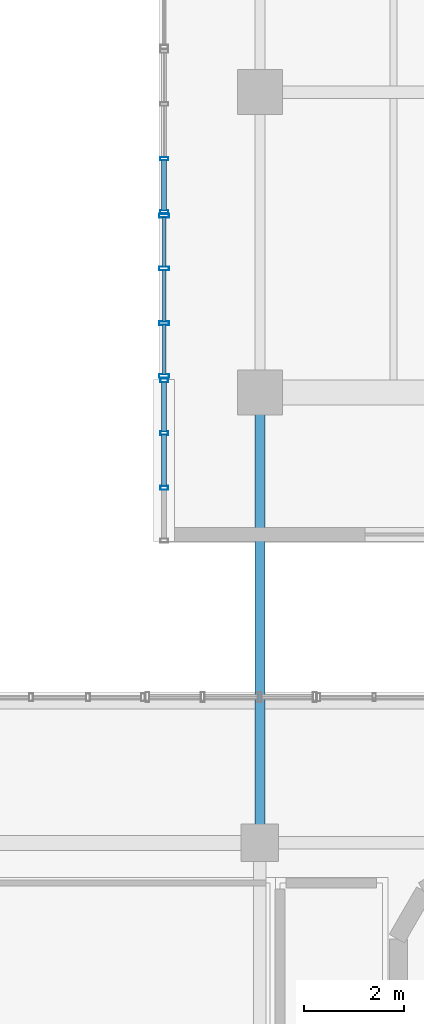
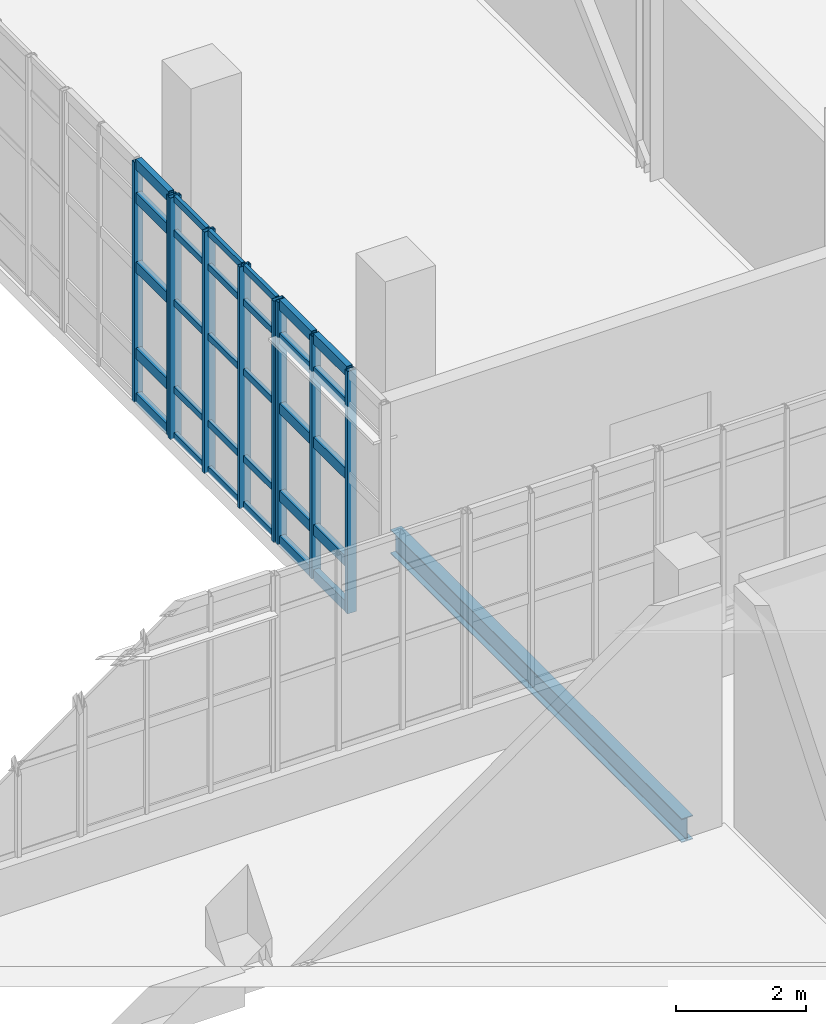
# One storey, part 29 of 102: 39 members, 1 beam, 3 elements without a shape of their own.
"""IFC4 building model written with IfcOpenShell, lengths in metres."""

from ifc_helpers import new_model, si_unit, derived_unit, direction, frame, origin, origin_2d, place, context, subcontext, project, spatial, hollow_rectangle, i_section, extrude, material, layer, layer_set, material_profile, profile_set, type_object, element, aggregate, save


model = new_model("IFC4")

# Units and contexts
model_context = context("Model", 3, precision=1e-05, world=origin(), true_north=direction((0.0, 1.0)))
body_context = subcontext(model_context, "Body", "Model", "MODEL_VIEW")
ifc_project = project(units=[si_unit("LENGTHUNIT", "METRE"), si_unit("AREAUNIT", "SQUARE_METRE"), si_unit("VOLUMEUNIT", "CUBIC_METRE"), si_unit("PLANEANGLEUNIT", "RADIAN"), si_unit("MASSUNIT", "GRAM", prefix="KILO"), derived_unit("THERMALTRANSMITTANCEUNIT", [(si_unit("POWERUNIT", "WATT"), 1), (si_unit("LENGTHUNIT", "METRE"), -2), (si_unit("THERMODYNAMICTEMPERATUREUNIT", "KELVIN"), -1)])], contexts=[model_context])

# Site, building, storey
site_placement = place(None, origin())
site = spatial("IfcSite", under=ifc_project, at=site_placement, CompositionType="ELEMENT")
building_placement = place(site_placement, origin())
building = spatial("IfcBuilding", under=site, at=building_placement, Name="Nallur Shell Playhouse", CompositionType="ELEMENT")
storey_placement = place(building_placement, frame((0.0, 0.0, 15.0)))
storey = spatial("IfcBuildingStorey", under=building, at=storey_placement, Name="L04", CompositionType="ELEMENT", Elevation=15.0)

# Beam
ifc_material_1 = material(Name="Steel E350", Category="steel")
ifc_material_profile_1 = material_profile(ifc_material_1, i_section(OverallWidth=0.199951171875, OverallDepth=0.449951171875, WebThickness=0.00927734375, FlangeThickness=0.015380859375, FilletRadius=0.013916015625, at=origin_2d()), Name="ISWB 450")
ifc_profile_set_1 = profile_set([ifc_material_profile_1], Name="Steel E350")
beam_type = type_object("IfcBeamType", Name="BM-ST-ISWB450", PredefinedType="BEAM", material=ifc_profile_set_1)
beam_placement = place(storey_placement, frame((56.0, 41.0, -0.485107421875), z_axis=(0.0, 1.0, 0.0), x_axis=(-1.0, 0.0, 0.0)))
element("IfcBeam", 1, at=beam_placement, inside=storey, type_object=beam_type, Name="L04 girder Y-7-836", PredefinedType="BEAM", context=body_context, shape_type="SweptSolid", body=[
    extrude(i_section(OverallWidth=0.199951171875, OverallDepth=0.449951171875, WebThickness=0.00927734375, FlangeThickness=0.015380859375, FilletRadius=0.013916015625, at=origin_2d()), origin(), (0.0, 0.0, 1.0), 9.0),
])

# Curtain wall, members
ifc_material_2 = material(Name="Anodised Aluminium Double-Glazed Facade System", Category="aluminium")
ifc_layer_1 = layer(ifc_material_2, 0.159912109375)
ifc_layer_set_1 = layer_set([ifc_layer_1], Name="Anodised Aluminium Double-Glazed Facade System")
curtain_wall_type_1 = type_object("IfcCurtainWallType", Name="CW-UNIT-24", PredefinedType="NOTDEFINED", material=ifc_layer_set_1)
curtain_wall_1_placement = place(storey_placement, origin())
curtain_wall_1 = element("IfcCurtainWall", 2, at=curtain_wall_1_placement, inside=storey, type_object=curtain_wall_type_1, Name="Unitised curtain wall CW-152 (L04)", PredefinedType="NOTDEFINED")
ifc_material_3 = material(Name="Aluminium Alloy 6063-T6 Mullion", Category="aluminium")
ifc_material_profile_2 = material_profile(ifc_material_3, hollow_rectangle(XDim=0.080078125, YDim=0.159912109375, WallThickness=0.006103515625, at=origin_2d()), Name="RHS 160x80x6")
ifc_profile_set_2 = profile_set([ifc_material_profile_2], Name="Aluminium Alloy 6063-T6 Mullion")
member_type_1 = type_object("IfcMemberType", Name="MB-CW-MUL150", PredefinedType="MULLION", material=ifc_profile_set_2)
member_1_placement = place(storey_placement, frame((54.090087890625, 48.093505859375, -0.014892578125), z_axis=(0.0, 0.0, 1.0), x_axis=(0.0, 1.0, 0.0)))
member_1 = element("IfcMember", 3, at=member_1_placement, type_object=member_type_1, Name="CW-24 mullion 2", PredefinedType="MULLION", context=body_context, shape_type="SweptSolid", body=[
    extrude(hollow_rectangle(XDim=0.080078125, YDim=0.159912109375, WallThickness=0.006103515625, at=origin_2d()), origin(), (0.0, 0.0, 1.0), 4.56884765625),
])
member_2_placement = place(storey_placement, frame((54.090087890625, 49.18701171875, -0.014892578125), z_axis=(0.0, 0.0, 1.0), x_axis=(0.0, 1.0, 0.0)))
member_2 = element("IfcMember", 4, at=member_2_placement, type_object=member_type_1, Name="CW-24 mullion 3", PredefinedType="MULLION", context=body_context, shape_type="SweptSolid", body=[
    extrude(hollow_rectangle(XDim=0.080078125, YDim=0.159912109375, WallThickness=0.006103515625, at=origin_2d()), origin(), (0.0, 0.0, 1.0), 4.56884765625),
])
member_3_placement = place(storey_placement, frame((54.090087890625, 50.24072265625, -0.014892578125), z_axis=(0.0, 0.0, 1.0), x_axis=(0.0, 1.0, 0.0)))
member_3 = element("IfcMember", 5, at=member_3_placement, type_object=member_type_1, Name="CW-24 mullion 4", PredefinedType="MULLION", context=body_context, shape_type="SweptSolid", body=[
    extrude(hollow_rectangle(XDim=0.080078125, YDim=0.159912109375, WallThickness=0.006103515625, at=origin_2d()), origin(), (0.0, 0.0, 1.0), 4.56884765625),
])

ifc_layer_2 = layer(ifc_material_2, 0.16796875)
ifc_layer_set_2 = layer_set([ifc_layer_2], Name="Anodised Aluminium Double-Glazed Facade System")
curtain_wall_type_2 = type_object("IfcCurtainWallType", Name="CW-UNIT-26", PredefinedType="NOTDEFINED", material=ifc_layer_set_2)
curtain_wall_2_placement = place(storey_placement, origin())
curtain_wall_2 = element("IfcCurtainWall", 6, at=curtain_wall_2_placement, inside=storey, type_object=curtain_wall_type_2, Name="Unitised curtain wall CW-154 (L04)", PredefinedType="NOTDEFINED")
ifc_material_profile_3 = material_profile(ifc_material_3, hollow_rectangle(XDim=0.06494140625, YDim=0.159912109375, WallThickness=0.00390625, at=origin_2d()), Name="ALU 65x160x4")
ifc_profile_set_3 = profile_set([ifc_material_profile_3], Name="Aluminium Alloy 6063-T6 Mullion")
member_type_2 = type_object("IfcMemberType", Name="MB-CW-MUL160", PredefinedType="MULLION", material=ifc_profile_set_3)
member_4_placement = place(storey_placement, frame((54.090087890625, 53.60888671875, -0.014892578125), z_axis=(0.0, 0.0, 1.0), x_axis=(0.0, 1.0, 0.0)))
member_4 = element("IfcMember", 7, at=member_4_placement, type_object=member_type_2, Name="CW-26 mullion 1", PredefinedType="MULLION", context=body_context, shape_type="SweptSolid", body=[
    extrude(hollow_rectangle(XDim=0.06494140625, YDim=0.159912109375, WallThickness=0.00390625, at=origin_2d()), origin(), (0.0, 0.0, 1.0), 4.52880859375),
])
member_5_placement = place(storey_placement, frame((54.090087890625, 54.668212890625, -0.014892578125), z_axis=(0.0, 0.0, 1.0), x_axis=(0.0, 1.0, 0.0)))
member_5 = element("IfcMember", 8, at=member_5_placement, type_object=member_type_2, Name="CW-26 mullion 2", PredefinedType="MULLION", context=body_context, shape_type="SweptSolid", body=[
    extrude(hollow_rectangle(XDim=0.06494140625, YDim=0.159912109375, WallThickness=0.00390625, at=origin_2d()), origin(), (0.0, 0.0, 1.0), 4.52880859375),
])

ifc_layer_3 = layer(ifc_material_2, 0.1640625)
ifc_layer_set_3 = layer_set([ifc_layer_3], Name="Anodised Aluminium Double-Glazed Facade System")
curtain_wall_type_3 = type_object("IfcCurtainWallType", Name="CW-UNIT-25", PredefinedType="NOTDEFINED", material=ifc_layer_set_3)
curtain_wall_3_placement = place(storey_placement, origin())
curtain_wall_3 = element("IfcCurtainWall", 9, at=curtain_wall_3_placement, inside=storey, type_object=curtain_wall_type_3, Name="Unitised curtain wall CW-153 (L04)", PredefinedType="NOTDEFINED")
ifc_material_profile_4 = material_profile(ifc_material_3, hollow_rectangle(XDim=0.074951171875, YDim=0.199951171875, WallThickness=0.0048828125, at=origin_2d()), Name="ALU 75x200x5")
ifc_profile_set_4 = profile_set([ifc_material_profile_4], Name="Aluminium Alloy 6063-T6 Mullion")
member_type_3 = type_object("IfcMemberType", Name="MB-CW-MUL180", PredefinedType="MULLION", material=ifc_profile_set_4)
member_6_placement = place(storey_placement, frame((54.090087890625, 50.328125, -0.014892578125), z_axis=(0.0, 0.0, 1.0), x_axis=(0.0, 1.0, 0.0)))
member_6 = element("IfcMember", 10, at=member_6_placement, type_object=member_type_3, Name="CW-25 mullion 1", PredefinedType="MULLION", context=body_context, shape_type="SweptSolid", body=[
    extrude(hollow_rectangle(XDim=0.074951171875, YDim=0.199951171875, WallThickness=0.0048828125, at=origin_2d()), origin(), (0.0, 0.0, 1.0), 4.548828125),
])
member_7_placement = place(storey_placement, frame((54.090087890625, 51.382568359375, -0.014892578125), z_axis=(0.0, 0.0, 1.0), x_axis=(0.0, 1.0, 0.0)))
member_7 = element("IfcMember", 11, at=member_7_placement, type_object=member_type_3, Name="CW-25 mullion 2", PredefinedType="MULLION", context=body_context, shape_type="SweptSolid", body=[
    extrude(hollow_rectangle(XDim=0.074951171875, YDim=0.199951171875, WallThickness=0.0048828125, at=origin_2d()), origin(), (0.0, 0.0, 1.0), 4.548828125),
])
member_8_placement = place(storey_placement, frame((54.090087890625, 52.474609375, -0.014892578125), z_axis=(0.0, 0.0, 1.0), x_axis=(0.0, 1.0, 0.0)))
member_8 = element("IfcMember", 12, at=member_8_placement, type_object=member_type_3, Name="CW-25 mullion 3", PredefinedType="MULLION", context=body_context, shape_type="SweptSolid", body=[
    extrude(hollow_rectangle(XDim=0.074951171875, YDim=0.199951171875, WallThickness=0.0048828125, at=origin_2d()), origin(), (0.0, 0.0, 1.0), 4.548828125),
])
member_9_placement = place(storey_placement, frame((54.090087890625, 53.52880859375, -0.014892578125), z_axis=(0.0, 0.0, 1.0), x_axis=(0.0, 1.0, 0.0)))
member_9 = element("IfcMember", 13, at=member_9_placement, type_object=member_type_3, Name="CW-25 mullion 4", PredefinedType="MULLION", context=body_context, shape_type="SweptSolid", body=[
    extrude(hollow_rectangle(XDim=0.074951171875, YDim=0.199951171875, WallThickness=0.0048828125, at=origin_2d()), origin(), (0.0, 0.0, 1.0), 4.548828125),
])
ifc_material_4 = material(Name="Aluminium Alloy 6063-T6 Transom", Category="aluminium")
ifc_material_profile_5 = material_profile(ifc_material_4, hollow_rectangle(XDim=0.06494140625, YDim=0.1201171875, WallThickness=0.00390625, at=origin_2d()), Name="ALU 65x120x4")
ifc_profile_set_5 = profile_set([ifc_material_profile_5], Name="Aluminium Alloy 6063-T6 Transom")
member_type_4 = type_object("IfcMemberType", Name="MB-CW-TRN120", PredefinedType="USERDEFINED", material=ifc_profile_set_5)
member_10_placement = place(storey_placement, frame((54.090087890625, 50.357666015625, 0.032470703125), z_axis=(0.0, 1.0, 0.0), x_axis=(-1.0, 0.0, 0.0)))
member_10 = element("IfcMember", 14, at=member_10_placement, type_object=member_type_4, Name="CW-25 transom 1.1", ObjectType="TRANSOM", PredefinedType="USERDEFINED", context=body_context, shape_type="SweptSolid", body=[
    extrude(hollow_rectangle(XDim=0.06494140625, YDim=0.1201171875, WallThickness=0.00390625, at=origin_2d()), origin(), (0.0, 0.0, 1.0), 0.995361328125),
])
member_11_placement = place(storey_placement, frame((54.090087890625, 50.357666015625, 0.89990234375), z_axis=(0.0, 1.0, 0.0), x_axis=(-1.0, 0.0, 0.0)))
member_11 = element("IfcMember", 15, at=member_11_placement, type_object=member_type_4, Name="CW-25 transom 1.2", ObjectType="TRANSOM", PredefinedType="USERDEFINED", context=body_context, shape_type="SweptSolid", body=[
    extrude(hollow_rectangle(XDim=0.06494140625, YDim=0.1201171875, WallThickness=0.00390625, at=origin_2d()), origin(), (0.0, 0.0, 1.0), 0.995361328125),
])
member_12_placement = place(storey_placement, frame((54.090087890625, 50.357666015625, 2.537109375), z_axis=(0.0, 1.0, 0.0), x_axis=(-1.0, 0.0, 0.0)))
member_12 = element("IfcMember", 16, at=member_12_placement, type_object=member_type_4, Name="CW-25 transom 1.3", ObjectType="TRANSOM", PredefinedType="USERDEFINED", context=body_context, shape_type="SweptSolid", body=[
    extrude(hollow_rectangle(XDim=0.06494140625, YDim=0.1201171875, WallThickness=0.00390625, at=origin_2d()), origin(), (0.0, 0.0, 1.0), 0.995361328125),
])
member_13_placement = place(storey_placement, frame((54.090087890625, 50.357666015625, 3.85009765625), z_axis=(0.0, 1.0, 0.0), x_axis=(-1.0, 0.0, 0.0)))
member_13 = element("IfcMember", 17, at=member_13_placement, type_object=member_type_4, Name="CW-25 transom 1.4", ObjectType="TRANSOM", PredefinedType="USERDEFINED", context=body_context, shape_type="SweptSolid", body=[
    extrude(hollow_rectangle(XDim=0.06494140625, YDim=0.1201171875, WallThickness=0.00390625, at=origin_2d()), origin(), (0.0, 0.0, 1.0), 0.995361328125),
])
member_14_placement = place(storey_placement, frame((54.090087890625, 50.357666015625, 4.49755859375), z_axis=(0.0, 1.0, 0.0), x_axis=(-1.0, 0.0, 0.0)))
member_14 = element("IfcMember", 18, at=member_14_placement, type_object=member_type_4, Name="CW-25 transom 1.5", ObjectType="TRANSOM", PredefinedType="USERDEFINED", context=body_context, shape_type="SweptSolid", body=[
    extrude(hollow_rectangle(XDim=0.06494140625, YDim=0.1201171875, WallThickness=0.00390625, at=origin_2d()), origin(), (0.0, 0.0, 1.0), 0.995361328125),
])
member_15_placement = place(storey_placement, frame((54.090087890625, 51.412109375, 0.032470703125), z_axis=(0.0, 1.0, 0.0), x_axis=(-1.0, 0.0, 0.0)))
member_15 = element("IfcMember", 19, at=member_15_placement, type_object=member_type_4, Name="CW-25 transom 2.1", ObjectType="TRANSOM", PredefinedType="USERDEFINED", context=body_context, shape_type="SweptSolid", body=[
    extrude(hollow_rectangle(XDim=0.06494140625, YDim=0.1201171875, WallThickness=0.00390625, at=origin_2d()), origin(), (0.0, 0.0, 1.0), 1.032958984375),
])
member_16_placement = place(storey_placement, frame((54.090087890625, 51.412109375, 0.89990234375), z_axis=(0.0, 1.0, 0.0), x_axis=(-1.0, 0.0, 0.0)))
member_16 = element("IfcMember", 20, at=member_16_placement, type_object=member_type_4, Name="CW-25 transom 2.2", ObjectType="TRANSOM", PredefinedType="USERDEFINED", context=body_context, shape_type="SweptSolid", body=[
    extrude(hollow_rectangle(XDim=0.06494140625, YDim=0.1201171875, WallThickness=0.00390625, at=origin_2d()), origin(), (0.0, 0.0, 1.0), 1.032958984375),
])
member_17_placement = place(storey_placement, frame((54.090087890625, 51.412109375, 2.537109375), z_axis=(0.0, 1.0, 0.0), x_axis=(-1.0, 0.0, 0.0)))
member_17 = element("IfcMember", 21, at=member_17_placement, type_object=member_type_4, Name="CW-25 transom 2.3", ObjectType="TRANSOM", PredefinedType="USERDEFINED", context=body_context, shape_type="SweptSolid", body=[
    extrude(hollow_rectangle(XDim=0.06494140625, YDim=0.1201171875, WallThickness=0.00390625, at=origin_2d()), origin(), (0.0, 0.0, 1.0), 1.032958984375),
])
member_18_placement = place(storey_placement, frame((54.090087890625, 51.412109375, 3.85009765625), z_axis=(0.0, 1.0, 0.0), x_axis=(-1.0, 0.0, 0.0)))
member_18 = element("IfcMember", 22, at=member_18_placement, type_object=member_type_4, Name="CW-25 transom 2.4", ObjectType="TRANSOM", PredefinedType="USERDEFINED", context=body_context, shape_type="SweptSolid", body=[
    extrude(hollow_rectangle(XDim=0.06494140625, YDim=0.1201171875, WallThickness=0.00390625, at=origin_2d()), origin(), (0.0, 0.0, 1.0), 1.032958984375),
])
member_19_placement = place(storey_placement, frame((54.090087890625, 51.412109375, 4.49755859375), z_axis=(0.0, 1.0, 0.0), x_axis=(-1.0, 0.0, 0.0)))
member_19 = element("IfcMember", 23, at=member_19_placement, type_object=member_type_4, Name="CW-25 transom 2.5", ObjectType="TRANSOM", PredefinedType="USERDEFINED", context=body_context, shape_type="SweptSolid", body=[
    extrude(hollow_rectangle(XDim=0.06494140625, YDim=0.1201171875, WallThickness=0.00390625, at=origin_2d()), origin(), (0.0, 0.0, 1.0), 1.032958984375),
])
member_20_placement = place(storey_placement, frame((54.090087890625, 52.50390625, 0.032470703125), z_axis=(0.0, 1.0, 0.0), x_axis=(-1.0, 0.0, 0.0)))
member_20 = element("IfcMember", 24, at=member_20_placement, type_object=member_type_4, Name="CW-25 transom 3.1", ObjectType="TRANSOM", PredefinedType="USERDEFINED", context=body_context, shape_type="SweptSolid", body=[
    extrude(hollow_rectangle(XDim=0.06494140625, YDim=0.1201171875, WallThickness=0.00390625, at=origin_2d()), origin(), (0.0, 0.0, 1.0), 0.99560546875),
])
member_21_placement = place(storey_placement, frame((54.090087890625, 52.50390625, 0.89990234375), z_axis=(0.0, 1.0, 0.0), x_axis=(-1.0, 0.0, 0.0)))
member_21 = element("IfcMember", 25, at=member_21_placement, type_object=member_type_4, Name="CW-25 transom 3.2", ObjectType="TRANSOM", PredefinedType="USERDEFINED", context=body_context, shape_type="SweptSolid", body=[
    extrude(hollow_rectangle(XDim=0.06494140625, YDim=0.1201171875, WallThickness=0.00390625, at=origin_2d()), origin(), (0.0, 0.0, 1.0), 0.99560546875),
])
member_22_placement = place(storey_placement, frame((54.090087890625, 52.50390625, 2.537109375), z_axis=(0.0, 1.0, 0.0), x_axis=(-1.0, 0.0, 0.0)))
member_22 = element("IfcMember", 26, at=member_22_placement, type_object=member_type_4, Name="CW-25 transom 3.3", ObjectType="TRANSOM", PredefinedType="USERDEFINED", context=body_context, shape_type="SweptSolid", body=[
    extrude(hollow_rectangle(XDim=0.06494140625, YDim=0.1201171875, WallThickness=0.00390625, at=origin_2d()), origin(), (0.0, 0.0, 1.0), 0.99560546875),
])
member_23_placement = place(storey_placement, frame((54.090087890625, 52.50390625, 3.85009765625), z_axis=(0.0, 1.0, 0.0), x_axis=(-1.0, 0.0, 0.0)))
member_23 = element("IfcMember", 27, at=member_23_placement, type_object=member_type_4, Name="CW-25 transom 3.4", ObjectType="TRANSOM", PredefinedType="USERDEFINED", context=body_context, shape_type="SweptSolid", body=[
    extrude(hollow_rectangle(XDim=0.06494140625, YDim=0.1201171875, WallThickness=0.00390625, at=origin_2d()), origin(), (0.0, 0.0, 1.0), 0.99560546875),
])
member_24_placement = place(storey_placement, frame((54.090087890625, 52.50390625, 4.49755859375), z_axis=(0.0, 1.0, 0.0), x_axis=(-1.0, 0.0, 0.0)))
member_24 = element("IfcMember", 28, at=member_24_placement, type_object=member_type_4, Name="CW-25 transom 3.5", ObjectType="TRANSOM", PredefinedType="USERDEFINED", context=body_context, shape_type="SweptSolid", body=[
    extrude(hollow_rectangle(XDim=0.06494140625, YDim=0.1201171875, WallThickness=0.00390625, at=origin_2d()), origin(), (0.0, 0.0, 1.0), 0.99560546875),
])
aggregate(curtain_wall_3, [member_6, member_7, member_8, member_9, member_10, member_11, member_12, member_13, member_14, member_15, member_16, member_17, member_18, member_19, member_20, member_21, member_22, member_23, member_24])

# Member
ifc_material_profile_6 = material_profile(ifc_material_4, hollow_rectangle(XDim=0.10009765625, YDim=0.199951171875, WallThickness=0.008056640625, at=origin_2d()), Name="RHS 200x100x8")
ifc_profile_set_6 = profile_set([ifc_material_profile_6], Name="Aluminium Alloy 6063-T6 Transom")
member_type_5 = type_object("IfcMemberType", Name="MB-CW-TRN140", PredefinedType="USERDEFINED", material=ifc_profile_set_6)
member_25_placement = place(storey_placement, frame((54.090087890625, 48.12548828125, 0.050048828125), z_axis=(0.0, 1.0, 0.0), x_axis=(-1.0, 0.0, 0.0)))
member_25 = element("IfcMember", 29, at=member_25_placement, type_object=member_type_5, Name="CW-24 transom 2.1", ObjectType="TRANSOM", PredefinedType="USERDEFINED", context=body_context, shape_type="SweptSolid", body=[
    extrude(hollow_rectangle(XDim=0.10009765625, YDim=0.199951171875, WallThickness=0.008056640625, at=origin_2d()), origin(), (0.0, 0.0, 1.0), 1.029541015625),
])

member_26_placement = place(storey_placement, frame((54.090087890625, 48.12548828125, 0.89990234375), z_axis=(0.0, 1.0, 0.0), x_axis=(-1.0, 0.0, 0.0)))
member_26 = element("IfcMember", 30, at=member_26_placement, type_object=member_type_5, Name="CW-24 transom 2.2", ObjectType="TRANSOM", PredefinedType="USERDEFINED", context=body_context, shape_type="SweptSolid", body=[
    extrude(hollow_rectangle(XDim=0.10009765625, YDim=0.199951171875, WallThickness=0.008056640625, at=origin_2d()), origin(), (0.0, 0.0, 1.0), 1.029541015625),
])

member_27_placement = place(storey_placement, frame((54.090087890625, 48.12548828125, 2.548095703125), z_axis=(0.0, 1.0, 0.0), x_axis=(-1.0, 0.0, 0.0)))
member_27 = element("IfcMember", 31, at=member_27_placement, type_object=member_type_5, Name="CW-24 transom 2.3", ObjectType="TRANSOM", PredefinedType="USERDEFINED", context=body_context, shape_type="SweptSolid", body=[
    extrude(hollow_rectangle(XDim=0.10009765625, YDim=0.199951171875, WallThickness=0.008056640625, at=origin_2d()), origin(), (0.0, 0.0, 1.0), 1.029541015625),
])

member_28_placement = place(storey_placement, frame((54.090087890625, 48.12548828125, 3.8701171875), z_axis=(0.0, 1.0, 0.0), x_axis=(-1.0, 0.0, 0.0)))
member_28 = element("IfcMember", 32, at=member_28_placement, type_object=member_type_5, Name="CW-24 transom 2.4", ObjectType="TRANSOM", PredefinedType="USERDEFINED", context=body_context, shape_type="SweptSolid", body=[
    extrude(hollow_rectangle(XDim=0.10009765625, YDim=0.199951171875, WallThickness=0.008056640625, at=origin_2d()), origin(), (0.0, 0.0, 1.0), 1.029541015625),
])

member_29_placement = place(storey_placement, frame((54.090087890625, 48.12548828125, 4.5), z_axis=(0.0, 1.0, 0.0), x_axis=(-1.0, 0.0, 0.0)))
member_29 = element("IfcMember", 33, at=member_29_placement, type_object=member_type_5, Name="CW-24 transom 2.5", ObjectType="TRANSOM", PredefinedType="USERDEFINED", context=body_context, shape_type="SweptSolid", body=[
    extrude(hollow_rectangle(XDim=0.10009765625, YDim=0.199951171875, WallThickness=0.008056640625, at=origin_2d()), origin(), (0.0, 0.0, 1.0), 1.029541015625),
])

member_30_placement = place(storey_placement, frame((54.090087890625, 49.21923828125, 0.050048828125), z_axis=(0.0, 1.0, 0.0), x_axis=(-1.0, 0.0, 0.0)))
member_30 = element("IfcMember", 34, at=member_30_placement, type_object=member_type_5, Name="CW-24 transom 3.1", ObjectType="TRANSOM", PredefinedType="USERDEFINED", context=body_context, shape_type="SweptSolid", body=[
    extrude(hollow_rectangle(XDim=0.10009765625, YDim=0.199951171875, WallThickness=0.008056640625, at=origin_2d()), origin(), (0.0, 0.0, 1.0), 0.989501953125),
])

member_31_placement = place(storey_placement, frame((54.090087890625, 49.21923828125, 0.89990234375), z_axis=(0.0, 1.0, 0.0), x_axis=(-1.0, 0.0, 0.0)))
member_31 = element("IfcMember", 35, at=member_31_placement, type_object=member_type_5, Name="CW-24 transom 3.2", ObjectType="TRANSOM", PredefinedType="USERDEFINED", context=body_context, shape_type="SweptSolid", body=[
    extrude(hollow_rectangle(XDim=0.10009765625, YDim=0.199951171875, WallThickness=0.008056640625, at=origin_2d()), origin(), (0.0, 0.0, 1.0), 0.989501953125),
])

member_32_placement = place(storey_placement, frame((54.090087890625, 49.21923828125, 2.548095703125), z_axis=(0.0, 1.0, 0.0), x_axis=(-1.0, 0.0, 0.0)))
member_32 = element("IfcMember", 36, at=member_32_placement, type_object=member_type_5, Name="CW-24 transom 3.3", ObjectType="TRANSOM", PredefinedType="USERDEFINED", context=body_context, shape_type="SweptSolid", body=[
    extrude(hollow_rectangle(XDim=0.10009765625, YDim=0.199951171875, WallThickness=0.008056640625, at=origin_2d()), origin(), (0.0, 0.0, 1.0), 0.989501953125),
])

member_33_placement = place(storey_placement, frame((54.090087890625, 49.21923828125, 3.8701171875), z_axis=(0.0, 1.0, 0.0), x_axis=(-1.0, 0.0, 0.0)))
member_33 = element("IfcMember", 37, at=member_33_placement, type_object=member_type_5, Name="CW-24 transom 3.4", ObjectType="TRANSOM", PredefinedType="USERDEFINED", context=body_context, shape_type="SweptSolid", body=[
    extrude(hollow_rectangle(XDim=0.10009765625, YDim=0.199951171875, WallThickness=0.008056640625, at=origin_2d()), origin(), (0.0, 0.0, 1.0), 0.989501953125),
])

member_34_placement = place(storey_placement, frame((54.090087890625, 49.21923828125, 4.5), z_axis=(0.0, 1.0, 0.0), x_axis=(-1.0, 0.0, 0.0)))
member_34 = element("IfcMember", 38, at=member_34_placement, type_object=member_type_5, Name="CW-24 transom 3.5", ObjectType="TRANSOM", PredefinedType="USERDEFINED", context=body_context, shape_type="SweptSolid", body=[
    extrude(hollow_rectangle(XDim=0.10009765625, YDim=0.199951171875, WallThickness=0.008056640625, at=origin_2d()), origin(), (0.0, 0.0, 1.0), 0.989501953125),
])

aggregate(curtain_wall_1, [member_1, member_2, member_3, member_25, member_26, member_27, member_28, member_29, member_30, member_31, member_32, member_33, member_34])

member_35_placement = place(storey_placement, frame((54.090087890625, 53.63330078125, 0.050048828125), z_axis=(0.0, 1.0, 0.0), x_axis=(-1.0, 0.0, 0.0)))
member_35 = element("IfcMember", 39, at=member_35_placement, type_object=member_type_5, Name="CW-26 transom 1.1", ObjectType="TRANSOM", PredefinedType="USERDEFINED", context=body_context, shape_type="SweptSolid", body=[
    extrude(hollow_rectangle(XDim=0.10009765625, YDim=0.199951171875, WallThickness=0.008056640625, at=origin_2d()), origin(), (0.0, 0.0, 1.0), 1.010498046875),
])

member_36_placement = place(storey_placement, frame((54.090087890625, 53.63330078125, 0.89990234375), z_axis=(0.0, 1.0, 0.0), x_axis=(-1.0, 0.0, 0.0)))
member_36 = element("IfcMember", 40, at=member_36_placement, type_object=member_type_5, Name="CW-26 transom 1.2", ObjectType="TRANSOM", PredefinedType="USERDEFINED", context=body_context, shape_type="SweptSolid", body=[
    extrude(hollow_rectangle(XDim=0.10009765625, YDim=0.199951171875, WallThickness=0.008056640625, at=origin_2d()), origin(), (0.0, 0.0, 1.0), 1.010498046875),
])

member_37_placement = place(storey_placement, frame((54.090087890625, 53.63330078125, 2.52587890625), z_axis=(0.0, 1.0, 0.0), x_axis=(-1.0, 0.0, 0.0)))
member_37 = element("IfcMember", 41, at=member_37_placement, type_object=member_type_5, Name="CW-26 transom 1.3", ObjectType="TRANSOM", PredefinedType="USERDEFINED", context=body_context, shape_type="SweptSolid", body=[
    extrude(hollow_rectangle(XDim=0.10009765625, YDim=0.199951171875, WallThickness=0.008056640625, at=origin_2d()), origin(), (0.0, 0.0, 1.0), 1.010498046875),
])

member_38_placement = place(storey_placement, frame((54.090087890625, 53.63330078125, 3.830078125), z_axis=(0.0, 1.0, 0.0), x_axis=(-1.0, 0.0, 0.0)))
member_38 = element("IfcMember", 42, at=member_38_placement, type_object=member_type_5, Name="CW-26 transom 1.4", ObjectType="TRANSOM", PredefinedType="USERDEFINED", context=body_context, shape_type="SweptSolid", body=[
    extrude(hollow_rectangle(XDim=0.10009765625, YDim=0.199951171875, WallThickness=0.008056640625, at=origin_2d()), origin(), (0.0, 0.0, 1.0), 1.010498046875),
])

member_39_placement = place(storey_placement, frame((54.090087890625, 53.63330078125, 4.4599609375), z_axis=(0.0, 1.0, 0.0), x_axis=(-1.0, 0.0, 0.0)))
member_39 = element("IfcMember", 43, at=member_39_placement, type_object=member_type_5, Name="CW-26 transom 1.5", ObjectType="TRANSOM", PredefinedType="USERDEFINED", context=body_context, shape_type="SweptSolid", body=[
    extrude(hollow_rectangle(XDim=0.10009765625, YDim=0.199951171875, WallThickness=0.008056640625, at=origin_2d()), origin(), (0.0, 0.0, 1.0), 1.010498046875),
])

aggregate(curtain_wall_2, [member_4, member_5, member_35, member_36, member_37, member_38, member_39])

save(model, "model.ifc")
